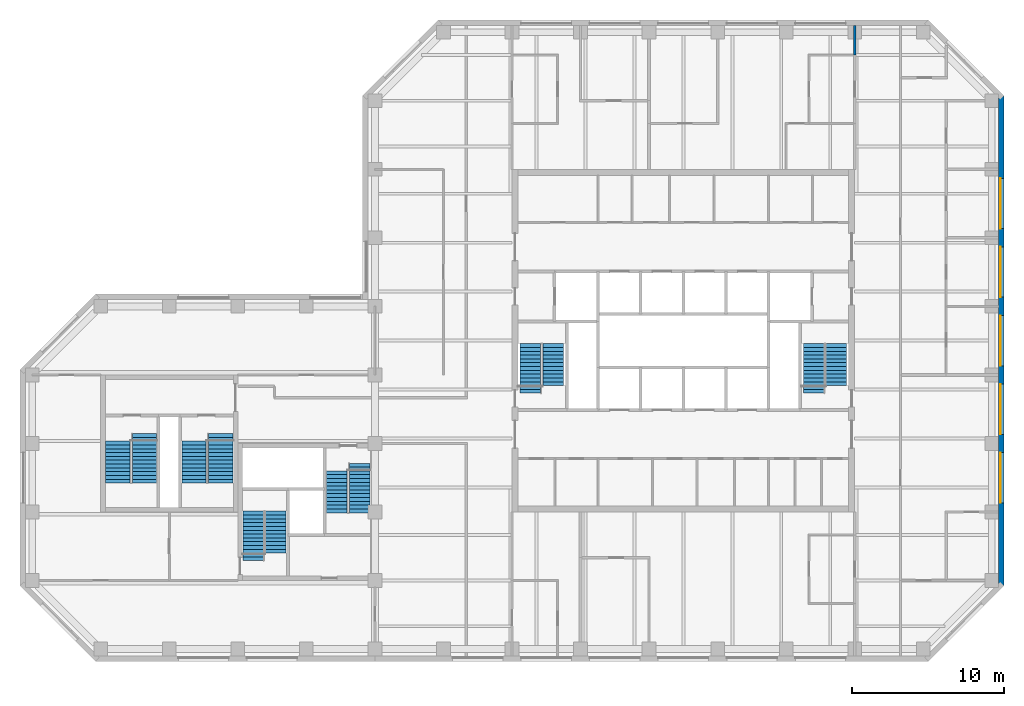
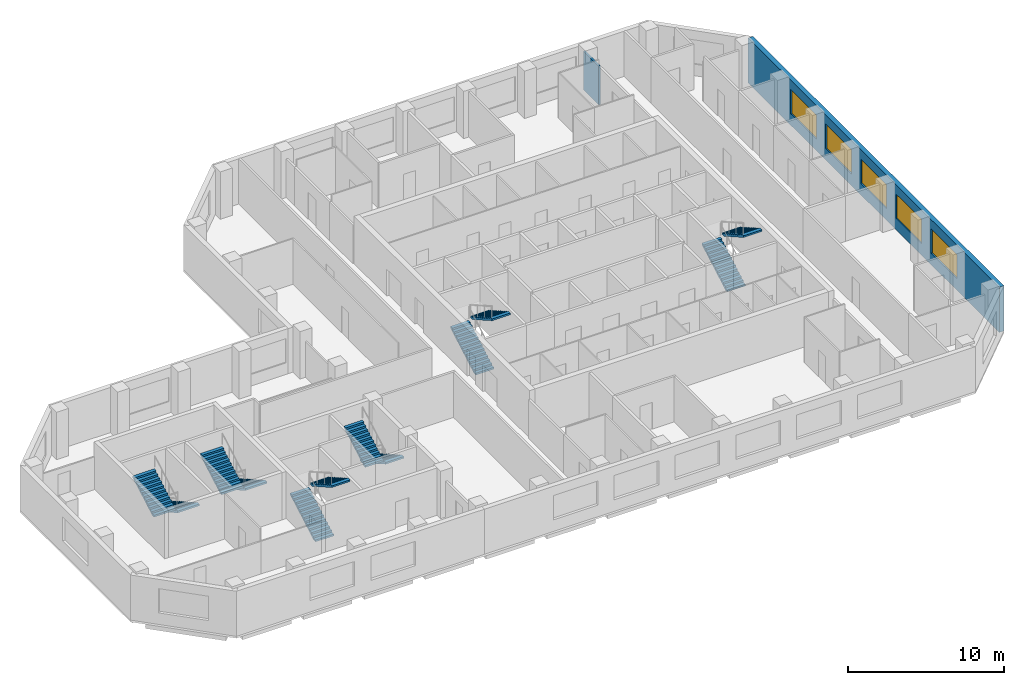
# One storey, part 8 of 9: 12 stair flights, 5 windows, 2 walls, 5 openings, 6 elements without a shape of their own.
"""IFC4 building model written with IfcOpenShell, lengths in metres."""

import ifcopenshell
import ifcopenshell.guid

model = None  # the IFC model being written
_history = None  # IfcOwnerHistory: only IFC2X3 demands one
_inside = {}  # id of a spatial element -> (the spatial element, [elements in it])
_under = {}  # id of a project, library or spatial element -> (it, [spatial elements below it])
_declared = {}  # id of a project -> (the project, [libraries it declares])
_typed = {}  # id of a type object -> (the type object, [elements of that type])
_made_of = {}  # id of a material, layer set ... -> (it, [elements and type objects made of it])


def new_model(schema):
    """Start an empty IFC model of exactly this schema.

    Asked for "IFC4X3", IfcOpenShell would pick the latest addendum, in which some entities
    have other attributes; the version numbers below select the first issue.
    IFC2X3 requires an IfcOwnerHistory on every rooted entity: one is made here for all.
    """
    global model, _history
    if schema == "IFC4X3":
        model = ifcopenshell.file(schema_version=(4, 3, 0, 0))
    else:
        model = ifcopenshell.file(schema=schema)
    _inside.clear()
    _under.clear()
    _declared.clear()
    _typed.clear()
    _made_of.clear()
    _history = None
    if model.schema == "IFC2X3":
        org = make("IfcOrganization", Name="unknown")
        user = make(
            "IfcPersonAndOrganization",
            ThePerson=make("IfcPerson", FamilyName="unknown"),
            TheOrganization=org,
        )
        app = make(
            "IfcApplication",
            ApplicationDeveloper=org,
            Version="unknown",
            ApplicationFullName="unknown",
            ApplicationIdentifier="unknown",
        )
        _history = make(
            "IfcOwnerHistory",
            OwningUser=user,
            OwningApplication=app,
            ChangeAction="ADDED",
            CreationDate=0,
        )
    return model


def make(cls, **values):
    """One entity of the class cls with the attributes given. An attribute that is None is left unset."""
    return model.create_entity(
        cls, **{name: value for name, value in values.items() if value is not None}
    )


def rooted(cls, **values):
    """An entity with a GlobalId (a new one), such as an element, a storey or a relation."""
    return make(cls, GlobalId=ifcopenshell.guid.new(), OwnerHistory=_history, **values)


def si_unit(unit_type, name, prefix=None):
    """IfcSIUnit, for example si_unit("LENGTHUNIT", "METRE", prefix="MILLI")."""
    return make("IfcSIUnit", UnitType=unit_type, Prefix=prefix, Name=name)


def assignment(units):
    """IfcUnitAssignment: the units of a project."""
    return None if units is None else make("IfcUnitAssignment", Units=units)


def point(xyz):
    """IfcCartesianPoint."""
    return None if xyz is None else make("IfcCartesianPoint", Coordinates=xyz)


def direction(xyz):
    """IfcDirection."""
    return None if xyz is None else make("IfcDirection", DirectionRatios=xyz)


def frame(location, z_axis=None, x_axis=None):
    """IfcAxis2Placement3D, a coordinate frame: its origin and axes. An axis left out is left unset."""
    return make(
        "IfcAxis2Placement3D",
        Location=point(location),
        Axis=direction(z_axis),
        RefDirection=direction(x_axis),
    )


def frame_2d(location, x_axis=None):
    """IfcAxis2Placement2D, a coordinate frame in the plane: its origin and x axis."""
    return make(
        "IfcAxis2Placement2D", Location=point(location), RefDirection=direction(x_axis)
    )


def origin():
    """The frame at (0, 0, 0) with its axes left unset."""
    return frame((0.0, 0.0, 0.0))


def place(relative_to, where):
    """IfcLocalPlacement: puts the frame where relative to a parent placement (None: the world)."""
    return make(
        "IfcLocalPlacement", PlacementRelTo=relative_to, RelativePlacement=where
    )


def context(
    kind, dimensions, precision=None, world=None, true_north=None, identifier=None
):
    """IfcGeometricRepresentationContext, for example the 3D "Model" context."""
    return make(
        "IfcGeometricRepresentationContext",
        ContextIdentifier=identifier,
        ContextType=kind,
        CoordinateSpaceDimension=dimensions,
        Precision=precision,
        WorldCoordinateSystem=world,
        TrueNorth=true_north,
    )


def subcontext(parent, identifier, kind, view, scale=None):
    """IfcGeometricRepresentationSubContext, for example "Body" below "Model"."""
    return make(
        "IfcGeometricRepresentationSubContext",
        ContextIdentifier=identifier,
        ContextType=kind,
        ParentContext=parent,
        TargetScale=scale,
        TargetView=view,
    )


def project(units=None, contexts=None):
    """IfcProject with its units and contexts."""
    return rooted(
        "IfcProject",
        Name="project",
        RepresentationContexts=contexts,
        UnitsInContext=assignment(units),
    )


def spatial(cls, under=None, at=None, **own):
    """A site, building, storey or space (cls), placed at a placement, below another one or the project."""
    s = rooted(cls, ObjectPlacement=at, **own)
    if under is not None:
        _under.setdefault(under.id(), (under, []))[1].append(s)
    return s


def polyline(points):
    """IfcPolyline through the points."""
    return make("IfcPolyline", Points=[point(p) for p in points])


def profile(cls, at=None, kind="AREA", **sizes):
    """A parametric profile (cls). Its sizes go by their IFC names, for example OverallWidth=200.0."""
    return make(cls, ProfileType=kind, Position=at, **sizes)


def rectangle(**sizes):
    """IfcRectangleProfileDef."""
    return profile("IfcRectangleProfileDef", **sizes)


def outline(outer, holes=None, kind="AREA"):
    """IfcArbitraryClosedProfileDef: a profile drawn as a closed curve; with holes, ...WithVoids."""
    if holes is None:
        return make("IfcArbitraryClosedProfileDef", ProfileType=kind, OuterCurve=outer)
    return make(
        "IfcArbitraryProfileDefWithVoids",
        ProfileType=kind,
        OuterCurve=outer,
        InnerCurves=holes,
    )


def extrude(swept, where, along, depth):
    """IfcExtrudedAreaSolid: the profile swept, set in the frame where, extruded along a direction by depth."""
    return make(
        "IfcExtrudedAreaSolid",
        SweptArea=swept,
        Position=where,
        ExtrudedDirection=direction(along),
        Depth=depth,
    )


def shape(context_of_items, identifier, shape_type, items):
    """IfcShapeRepresentation: the items that make up one representation, for example the "Body"."""
    return make(
        "IfcShapeRepresentation",
        ContextOfItems=context_of_items,
        RepresentationIdentifier=identifier,
        RepresentationType=shape_type,
        Items=items,
    )


def material(Name=None, Category=None):
    """IfcMaterial."""
    return make("IfcMaterial", Name=Name, Category=Category)


def layer(
    of_material, thickness, ventilated=None, Name=None, Category=None, Priority=None
):
    """IfcMaterialLayer: one layer of a wall or slab, of a material (None: an air gap)."""
    return make(
        "IfcMaterialLayer",
        Material=of_material,
        LayerThickness=thickness,
        IsVentilated=ventilated,
        Name=Name,
        Category=Category,
        Priority=Priority,
    )


def layer_set(layers, Name=None):
    """IfcMaterialLayerSet."""
    return make("IfcMaterialLayerSet", MaterialLayers=layers, LayerSetName=Name)


def constituent(of_material, Name=None, Category=None, fraction=None):
    """IfcMaterialConstituent: one of the materials an element consists of."""
    return make(
        "IfcMaterialConstituent",
        Name=Name,
        Material=of_material,
        Fraction=fraction,
        Category=Category,
    )


def constituent_set(constituents=None, Name=None):
    """IfcMaterialConstituentSet."""
    return make(
        "IfcMaterialConstituentSet", Name=Name, MaterialConstituents=constituents
    )


def made_of(thing, what):
    """Note that an element or type object is made of a material, layer set ...; save() writes the relation."""
    if what is not None:
        _made_of.setdefault(what.id(), (what, []))[1].append(thing)
    return thing


def type_object(cls, material=None, **own):
    """A type object (cls), such as IfcWallType, which elements share."""
    return made_of(rooted(cls, **own), material)


def element(
    cls,
    number,
    at=None,
    inside=None,
    cuts=None,
    type_object=None,
    material=None,
    context=None,
    identifier="Body",
    shape_type=None,
    held_by="IfcProductDefinitionShape",
    body=None,
    shapes=None,
    **own,
):
    """One element of the class cls, such as IfcWall. Its Tag is "e" and its number.

    at: its placement. inside: the storey or other place that contains it. cuts: it is an
    opening in that element (IfcRelVoidsElement). A single representation is given by context,
    identifier, shape_type and body (its items); several are given by shapes. held_by: the class
    of the entity that holds the representations. save() writes the other relations.
    """
    e = rooted(cls, Tag="e%d" % number, ObjectPlacement=at, **own)
    if body is not None:
        shapes = [shape(context, identifier, shape_type, body)]
    if shapes is not None:
        e.Representation = make(held_by, Representations=shapes)
    if inside is not None:
        _inside.setdefault(inside.id(), (inside, []))[1].append(e)
    if cuts is not None:
        rooted(
            "IfcRelVoidsElement", RelatingBuildingElement=cuts, RelatedOpeningElement=e
        )
    if type_object is not None:
        _typed.setdefault(type_object.id(), (type_object, []))[1].append(e)
    return made_of(e, material)


def fill(opening, filler):
    """IfcRelFillsElement: the door or window that sits in an opening."""
    return rooted(
        "IfcRelFillsElement",
        RelatingOpeningElement=opening,
        RelatedBuildingElement=filler,
    )


def aggregate(whole, parts):
    """IfcRelAggregates: a whole, such as a stair, and the parts it consists of."""
    return rooted("IfcRelAggregates", RelatingObject=whole, RelatedObjects=parts)


def save(model, path):
    """Write the relations noted so far, then the file.

    IfcRelAggregates (storeys below a building ...), IfcRelContainedInSpatialStructure (elements
    in a storey), IfcRelDefinesByType, IfcRelAssociatesMaterial and IfcRelDeclares: one each for
    every whole, place, type object, material and project.
    """
    for whole, parts in _under.values():
        aggregate(whole, parts)
    for where, things in _inside.values():
        rooted(
            "IfcRelContainedInSpatialStructure",
            RelatedElements=things,
            RelatingStructure=where,
        )
    for kind, things in _typed.values():
        rooted("IfcRelDefinesByType", RelatedObjects=things, RelatingType=kind)
    for what, things in _made_of.values():
        rooted("IfcRelAssociatesMaterial", RelatedObjects=things, RelatingMaterial=what)
    for by, libraries in _declared.values():
        rooted("IfcRelDeclares", RelatingContext=by, RelatedDefinitions=libraries)
    model.write(path)


model = new_model("IFC4")

# Units and contexts
model_context = context("Model", 3, precision=1e-05, world=origin(), true_north=direction((0.0, 1.0)))
body_context = subcontext(model_context, "Body", "Model", "MODEL_VIEW")
ifc_project = project(units=[si_unit("LENGTHUNIT", "METRE"), si_unit("AREAUNIT", "SQUARE_METRE"), si_unit("VOLUMEUNIT", "CUBIC_METRE"), si_unit("PLANEANGLEUNIT", "RADIAN"), si_unit("MASSUNIT", "GRAM", prefix="KILO")], contexts=[model_context])

# Site, building, storey
site_placement = place(None, origin())
site = spatial("IfcSite", under=ifc_project, at=site_placement, CompositionType="ELEMENT")
building_placement = place(site_placement, origin())
building = spatial("IfcBuilding", under=site, at=building_placement, Name="Quoin Convention Tower", CompositionType="ELEMENT")
storey_placement = place(building_placement, frame((0.0, 0.0, 226.699951171875)))
storey = spatial("IfcBuildingStorey", under=building, at=storey_placement, Name="L59", CompositionType="ELEMENT", Elevation=226.699951171875)

# Wall, openings, windows
ifc_material_1 = material(Name="Brick masonry", Category="masonry")
ifc_layer_1 = layer(ifc_material_1, 0.35009765625)
ifc_layer_set_1 = layer_set([ifc_layer_1], Name="Brick masonry")
wall_type_1 = type_object("IfcWallType", Name="Brick facade wall", PredefinedType="STANDARD", material=ifc_layer_set_1)
wall_1_placement = place(storey_placement, frame((77.125, 44.668701171875, 0.0), z_axis=(0.0, 0.0, 1.0), x_axis=(0.0, 1.0, 0.0)))
wall_1 = element("IfcWall", 1, at=wall_1_placement, inside=storey, type_object=wall_type_1, Name="fw-L59-76500_45000", PredefinedType="STANDARD", context=body_context, shape_type="SweptSolid", body=[
    extrude(rectangle(XDim=32.16259765625, YDim=0.35009765625, at=frame_2d((16.081298828125, 0.0))), origin(), (0.0, 0.0, 1.0), 3.525146484375),
])
opening_1_placement = place(wall_1_placement, frame((5.431396484375, 0.0, 0.89990234375)))
opening_1 = element("IfcOpeningElement", 2, at=opening_1_placement, cuts=wall_1, Name="Opening W-02", PredefinedType="OPENING", context=body_context, shape_type="SweptSolid", body=[
    extrude(rectangle(XDim=3.300048828125, YDim=1.89990234375, at=frame_2d((1.64990234375, 0.949951171875))), frame((0.0, 0.18505859375, 0.0), z_axis=(0.0, -1.0, 0.0), x_axis=(1.0, 0.0, 0.0)), (0.0, 0.0, 1.0), 0.3701171875),
])
opening_2_placement = place(wall_1_placement, frame((9.931396484375, 0.0, 0.89990234375)))
opening_2 = element("IfcOpeningElement", 3, at=opening_2_placement, cuts=wall_1, Name="Opening W-02", PredefinedType="OPENING", context=body_context, shape_type="SweptSolid", body=[
    extrude(rectangle(XDim=3.300048828125, YDim=1.89990234375, at=frame_2d((1.64990234375, 0.949951171875))), frame((0.0, 0.18505859375, 0.0), z_axis=(0.0, -1.0, 0.0), x_axis=(1.0, 0.0, 0.0)), (0.0, 0.0, 1.0), 0.3701171875),
])
opening_3_placement = place(wall_1_placement, frame((14.431396484375, 0.0, 0.89990234375)))
opening_3 = element("IfcOpeningElement", 4, at=opening_3_placement, cuts=wall_1, Name="Opening W-02", PredefinedType="OPENING", context=body_context, shape_type="SweptSolid", body=[
    extrude(rectangle(XDim=3.300048828125, YDim=1.89990234375, at=frame_2d((1.64990234375, 0.949951171875))), frame((0.0, 0.18505859375, 0.0), z_axis=(0.0, -1.0, 0.0), x_axis=(1.0, 0.0, 0.0)), (0.0, 0.0, 1.0), 0.3701171875),
])
opening_4_placement = place(wall_1_placement, frame((18.931396484375, 0.0, 0.89990234375)))
opening_4 = element("IfcOpeningElement", 5, at=opening_4_placement, cuts=wall_1, Name="Opening W-02", PredefinedType="OPENING", context=body_context, shape_type="SweptSolid", body=[
    extrude(rectangle(XDim=3.300048828125, YDim=1.89990234375, at=frame_2d((1.64990234375, 0.949951171875))), frame((0.0, 0.18505859375, 0.0), z_axis=(0.0, -1.0, 0.0), x_axis=(1.0, 0.0, 0.0)), (0.0, 0.0, 1.0), 0.3701171875),
])
opening_5_placement = place(wall_1_placement, frame((23.431396484375, 0.0, 0.89990234375)))
opening_5 = element("IfcOpeningElement", 6, at=opening_5_placement, cuts=wall_1, Name="Opening W-02", PredefinedType="OPENING", context=body_context, shape_type="SweptSolid", body=[
    extrude(rectangle(XDim=3.300048828125, YDim=1.89990234375, at=frame_2d((1.64990234375, 0.949951171875))), frame((0.0, 0.18505859375, 0.0), z_axis=(0.0, -1.0, 0.0), x_axis=(1.0, 0.0, 0.0)), (0.0, 0.0, 1.0), 0.3701171875),
])
ifc_material_2 = material(Name="Aluminium", Category="aluminium")
ifc_constituent_1 = constituent(ifc_material_2, Name="Frame")
ifc_material_3 = material(Name="Insulated glass", Category="glass")
ifc_constituent_2 = constituent(ifc_material_3, Name="Glazing")
ifc_constituent_set = constituent_set(constituents=[ifc_constituent_1, ifc_constituent_2], Name="Aluminium")
window_type = type_object("IfcWindowType", Name="Office window", PartitioningType="DOUBLE_PANEL_VERTICAL", PredefinedType="WINDOW", material=ifc_constituent_set)
window_1_placement = place(opening_1_placement, origin())
window_1 = element("IfcWindow", 7, at=window_1_placement, inside=storey, type_object=window_type, Name="win-L59-77125_51750", OverallHeight=1.89990234375, OverallWidth=3.300048828125, PartitioningType="SINGLE_PANEL", PredefinedType="WINDOW", context=body_context, shape_type="SweptSolid", body=[
    extrude(rectangle(XDim=3.300048828125, YDim=1.89990234375, at=frame_2d((1.64990234375, 0.949951171875))), frame((0.0, 0.0849609375, 0.0), z_axis=(0.0, -1.0, 0.0), x_axis=(1.0, 0.0, 0.0)), (0.0, 0.0, 1.0), 0.06005859375),
])
fill(opening_1, window_1)
window_2_placement = place(opening_2_placement, origin())
window_2 = element("IfcWindow", 8, at=window_2_placement, inside=storey, type_object=window_type, Name="win-L59-77125_56250", OverallHeight=1.89990234375, OverallWidth=3.300048828125, PartitioningType="SINGLE_PANEL", PredefinedType="WINDOW", context=body_context, shape_type="SweptSolid", body=[
    extrude(rectangle(XDim=3.300048828125, YDim=1.89990234375, at=frame_2d((1.64990234375, 0.949951171875))), frame((0.0, 0.0849609375, 0.0), z_axis=(0.0, -1.0, 0.0), x_axis=(1.0, 0.0, 0.0)), (0.0, 0.0, 1.0), 0.06005859375),
])
fill(opening_2, window_2)
window_3_placement = place(opening_3_placement, origin())
window_3 = element("IfcWindow", 9, at=window_3_placement, inside=storey, type_object=window_type, Name="win-L59-77125_60750", OverallHeight=1.89990234375, OverallWidth=3.300048828125, PartitioningType="SINGLE_PANEL", PredefinedType="WINDOW", context=body_context, shape_type="SweptSolid", body=[
    extrude(rectangle(XDim=3.300048828125, YDim=1.89990234375, at=frame_2d((1.64990234375, 0.949951171875))), frame((0.0, 0.0849609375, 0.0), z_axis=(0.0, -1.0, 0.0), x_axis=(1.0, 0.0, 0.0)), (0.0, 0.0, 1.0), 0.06005859375),
])
fill(opening_3, window_3)
window_4_placement = place(opening_4_placement, origin())
window_4 = element("IfcWindow", 10, at=window_4_placement, inside=storey, type_object=window_type, Name="win-L59-77125_65250", OverallHeight=1.89990234375, OverallWidth=3.300048828125, PartitioningType="SINGLE_PANEL", PredefinedType="WINDOW", context=body_context, shape_type="SweptSolid", body=[
    extrude(rectangle(XDim=3.300048828125, YDim=1.89990234375, at=frame_2d((1.64990234375, 0.949951171875))), frame((0.0, 0.0849609375, 0.0), z_axis=(0.0, -1.0, 0.0), x_axis=(1.0, 0.0, 0.0)), (0.0, 0.0, 1.0), 0.06005859375),
])
fill(opening_4, window_4)
window_5_placement = place(opening_5_placement, origin())
window_5 = element("IfcWindow", 11, at=window_5_placement, inside=storey, type_object=window_type, Name="win-L59-77125_69750", OverallHeight=1.89990234375, OverallWidth=3.300048828125, PartitioningType="SINGLE_PANEL", PredefinedType="WINDOW", context=body_context, shape_type="SweptSolid", body=[
    extrude(rectangle(XDim=3.300048828125, YDim=1.89990234375, at=frame_2d((1.64990234375, 0.949951171875))), frame((0.0, 0.0849609375, 0.0), z_axis=(0.0, -1.0, 0.0), x_axis=(1.0, 0.0, 0.0)), (0.0, 0.0, 1.0), 0.06005859375),
])
fill(opening_5, window_5)

# Wall
ifc_material_4 = material(Name="Plasterboard")
ifc_layer_2 = layer(ifc_material_4, 0.012451171875, Name="Finish")
ifc_material_5 = material(Name="Steel stud framing", Category="steel")
ifc_layer_3 = layer(ifc_material_5, 0.125, Name="Structure")
ifc_layer_4 = layer(ifc_material_4, 0.012451171875, Name="Finish")
ifc_layer_set_2 = layer_set([ifc_layer_2, ifc_layer_3, ifc_layer_4], Name="Steel stud framing")
wall_type_2 = type_object("IfcWallType", Name="Corridor wall 150 under beam 528", PredefinedType="PARTITIONING", material=ifc_layer_set_2)
wall_2_placement = place(storey_placement, frame((67.5, 79.5, 0.0), z_axis=(0.0, 0.0, 1.0), x_axis=(0.0, 1.0, 0.0)))
element("IfcWall", 12, at=wall_2_placement, inside=storey, type_object=wall_type_2, Name="pw-L59-082", PredefinedType="PARTITIONING", context=body_context, shape_type="SweptSolid", body=[
    extrude(rectangle(XDim=1.949951171875, YDim=0.14990234375, at=frame_2d((0.97509765625, 0.0))), origin(), (0.0, 0.0, 1.0), 3.02197265625),
])

# Stair, stair flights
ifc_material_6 = material(Name="Concrete C40", Category="concrete")
stair_type_1 = type_object("IfcStairType", Name="Exit stair two-flight 1350", PredefinedType="HALF_TURN_STAIR", material=ifc_material_6)
stair_1_placement = place(storey_placement, origin())
stair_1 = element("IfcStair", 13, at=stair_1_placement, inside=storey, type_object=stair_type_1, Name="SD1 L59", PredefinedType="HALF_TURN_STAIR")
stair_flight_type_1 = type_object("IfcStairFlightType", Name="Stair flight 1350", PredefinedType="STRAIGHT", material=ifc_material_6)
stair_flight_1_placement = place(storey_placement, frame((46.199951171875, 57.300048828125, 0.0), z_axis=(0.0, 0.0, 1.0), x_axis=(0.0, 1.0, 0.0)))
stair_flight_1 = element("IfcStairFlight", 14, at=stair_flight_1_placement, type_object=stair_flight_type_1, Name="ST1 flight 1", NumberOfRisers=14, NumberOfTreads=13, PredefinedType="STRAIGHT", RiserHeight=0.142307692, TreadLength=0.25, context=body_context, shape_type="SweptSolid", body=[
    extrude(outline(polyline([(0.0, 0.0), (0.0, 0.142333984375), (0.25, 0.142333984375), (0.25, 0.28466796875), (0.5, 0.28466796875), (0.5, 0.427001953125), (0.75, 0.427001953125), (0.75, 0.5693359375), (1.0, 0.5693359375), (1.0, 0.71142578125), (1.25, 0.71142578125), (1.25, 0.853759765625), (1.5, 0.853759765625), (1.5, 0.99609375), (1.75, 0.99609375), (1.75, 1.138427734375), (2.0, 1.138427734375), (2.0, 1.28076171875), (2.25, 1.28076171875), (2.25, 1.423095703125), (2.5, 1.423095703125), (2.5, 1.5654296875), (2.75, 1.5654296875), (2.75, 1.707763671875), (3.0, 1.707763671875), (3.0, 1.85009765625), (3.25, 1.85009765625), (3.25, 1.9921875), (3.25, 1.711669921875), (0.242919921875, 0.0), (0.0, 0.0)])), frame((0.0, 0.675048828125, 0.0), z_axis=(0.0, -1.0, 0.0), x_axis=(1.0, 0.0, 0.0)), (0.0, 0.0, 1.0), 1.35009765625),
])
stair_flight_2_placement = place(storey_placement, frame((47.699951171875, 60.550048828125, 1.992431640625), z_axis=(0.0, 0.0, 1.0), x_axis=(0.0, -1.0, 0.0)))
stair_flight_2 = element("IfcStairFlight", 15, at=stair_flight_2_placement, type_object=stair_flight_type_1, Name="ST1 flight 2", NumberOfRisers=12, NumberOfTreads=11, PredefinedType="STRAIGHT", RiserHeight=0.142307692, TreadLength=0.25, context=body_context, shape_type="SweptSolid", body=[
    extrude(outline(polyline([(0.0, 0.0), (0.0, 0.142333984375), (0.25, 0.142333984375), (0.25, 0.28466796875), (0.5, 0.28466796875), (0.5, 0.427001953125), (0.75, 0.427001953125), (0.75, 0.5693359375), (1.0, 0.5693359375), (1.0, 0.71142578125), (1.25, 0.71142578125), (1.25, 0.853759765625), (1.5, 0.853759765625), (1.5, 0.99609375), (1.75, 0.99609375), (1.75, 1.138427734375), (2.0, 1.138427734375), (2.0, 1.28076171875), (2.25, 1.28076171875), (2.25, 1.423095703125), (2.5, 1.423095703125), (2.5, 1.5654296875), (2.75, 1.5654296875), (2.75, 1.707763671875), (2.75, 1.42724609375), (0.242919921875, 0.0), (0.0, 0.0)])), frame((0.0, 0.675048828125, 0.0), z_axis=(0.0, -1.0, 0.0), x_axis=(1.0, 0.0, 0.0)), (0.0, 0.0, 1.0), 1.35009765625),
])
aggregate(stair_1, [stair_flight_1, stair_flight_2])

stair_2_placement = place(storey_placement, origin())
stair_2 = element("IfcStair", 16, at=stair_2_placement, inside=storey, type_object=stair_type_1, Name="SD2 L59", PredefinedType="HALF_TURN_STAIR")
stair_flight_3_placement = place(storey_placement, frame((64.800048828125, 57.300048828125, 0.0), z_axis=(0.0, 0.0, 1.0), x_axis=(0.0, 1.0, 0.0)))
stair_flight_3 = element("IfcStairFlight", 17, at=stair_flight_3_placement, type_object=stair_flight_type_1, Name="ST2 flight 1", NumberOfRisers=14, NumberOfTreads=13, PredefinedType="STRAIGHT", RiserHeight=0.142307692, TreadLength=0.25, context=body_context, shape_type="SweptSolid", body=[
    extrude(outline(polyline([(0.0, 0.0), (0.0, 0.142333984375), (0.25, 0.142333984375), (0.25, 0.28466796875), (0.5, 0.28466796875), (0.5, 0.427001953125), (0.75, 0.427001953125), (0.75, 0.5693359375), (1.0, 0.5693359375), (1.0, 0.71142578125), (1.25, 0.71142578125), (1.25, 0.853759765625), (1.5, 0.853759765625), (1.5, 0.99609375), (1.75, 0.99609375), (1.75, 1.138427734375), (2.0, 1.138427734375), (2.0, 1.28076171875), (2.25, 1.28076171875), (2.25, 1.423095703125), (2.5, 1.423095703125), (2.5, 1.5654296875), (2.75, 1.5654296875), (2.75, 1.707763671875), (3.0, 1.707763671875), (3.0, 1.85009765625), (3.25, 1.85009765625), (3.25, 1.9921875), (3.25, 1.711669921875), (0.242919921875, 0.0), (0.0, 0.0)])), frame((0.0, 0.675048828125, 0.0), z_axis=(0.0, -1.0, 0.0), x_axis=(1.0, 0.0, 0.0)), (0.0, 0.0, 1.0), 1.35009765625),
])
stair_flight_4_placement = place(storey_placement, frame((66.300048828125, 60.550048828125, 1.992431640625), z_axis=(0.0, 0.0, 1.0), x_axis=(0.0, -1.0, 0.0)))
stair_flight_4 = element("IfcStairFlight", 18, at=stair_flight_4_placement, type_object=stair_flight_type_1, Name="ST2 flight 2", NumberOfRisers=12, NumberOfTreads=11, PredefinedType="STRAIGHT", RiserHeight=0.142307692, TreadLength=0.25, context=body_context, shape_type="SweptSolid", body=[
    extrude(outline(polyline([(0.0, 0.0), (0.0, 0.142333984375), (0.25, 0.142333984375), (0.25, 0.28466796875), (0.5, 0.28466796875), (0.5, 0.427001953125), (0.75, 0.427001953125), (0.75, 0.5693359375), (1.0, 0.5693359375), (1.0, 0.71142578125), (1.25, 0.71142578125), (1.25, 0.853759765625), (1.5, 0.853759765625), (1.5, 0.99609375), (1.75, 0.99609375), (1.75, 1.138427734375), (2.0, 1.138427734375), (2.0, 1.28076171875), (2.25, 1.28076171875), (2.25, 1.423095703125), (2.5, 1.423095703125), (2.5, 1.5654296875), (2.75, 1.5654296875), (2.75, 1.707763671875), (2.75, 1.42724609375), (0.242919921875, 0.0), (0.0, 0.0)])), frame((0.0, 0.675048828125, 0.0), z_axis=(0.0, -1.0, 0.0), x_axis=(1.0, 0.0, 0.0)), (0.0, 0.0, 1.0), 1.35009765625),
])
aggregate(stair_2, [stair_flight_3, stair_flight_4])

stair_3_placement = place(storey_placement, origin())
stair_3 = element("IfcStair", 19, at=stair_3_placement, inside=storey, type_object=stair_type_1, Name="SD3 L59", PredefinedType="HALF_TURN_STAIR")
stair_flight_5_placement = place(storey_placement, frame((28.0, 46.300048828125, 0.0), z_axis=(0.0, 0.0, 1.0), x_axis=(0.0, 1.0, 0.0)))
stair_flight_5 = element("IfcStairFlight", 20, at=stair_flight_5_placement, type_object=stair_flight_type_1, Name="ST3 flight 1", NumberOfRisers=14, NumberOfTreads=13, PredefinedType="STRAIGHT", RiserHeight=0.142307692, TreadLength=0.25, context=body_context, shape_type="SweptSolid", body=[
    extrude(outline(polyline([(0.0, 0.0), (0.0, 0.142333984375), (0.25, 0.142333984375), (0.25, 0.28466796875), (0.5, 0.28466796875), (0.5, 0.427001953125), (0.75, 0.427001953125), (0.75, 0.5693359375), (1.0, 0.5693359375), (1.0, 0.71142578125), (1.25, 0.71142578125), (1.25, 0.853759765625), (1.5, 0.853759765625), (1.5, 0.99609375), (1.75, 0.99609375), (1.75, 1.138427734375), (2.0, 1.138427734375), (2.0, 1.28076171875), (2.25, 1.28076171875), (2.25, 1.423095703125), (2.5, 1.423095703125), (2.5, 1.5654296875), (2.75, 1.5654296875), (2.75, 1.707763671875), (3.0, 1.707763671875), (3.0, 1.85009765625), (3.25, 1.85009765625), (3.25, 1.9921875), (3.25, 1.711669921875), (0.242919921875, 0.0), (0.0, 0.0)])), frame((0.0, 0.675048828125, 0.0), z_axis=(0.0, -1.0, 0.0), x_axis=(1.0, 0.0, 0.0)), (0.0, 0.0, 1.0), 1.35009765625),
])
stair_flight_6_placement = place(storey_placement, frame((29.5, 49.550048828125, 1.992431640625), z_axis=(0.0, 0.0, 1.0), x_axis=(0.0, -1.0, 0.0)))
stair_flight_6 = element("IfcStairFlight", 21, at=stair_flight_6_placement, type_object=stair_flight_type_1, Name="ST3 flight 2", NumberOfRisers=12, NumberOfTreads=11, PredefinedType="STRAIGHT", RiserHeight=0.142307692, TreadLength=0.25, context=body_context, shape_type="SweptSolid", body=[
    extrude(outline(polyline([(0.0, 0.0), (0.0, 0.142333984375), (0.25, 0.142333984375), (0.25, 0.28466796875), (0.5, 0.28466796875), (0.5, 0.427001953125), (0.75, 0.427001953125), (0.75, 0.5693359375), (1.0, 0.5693359375), (1.0, 0.71142578125), (1.25, 0.71142578125), (1.25, 0.853759765625), (1.5, 0.853759765625), (1.5, 0.99609375), (1.75, 0.99609375), (1.75, 1.138427734375), (2.0, 1.138427734375), (2.0, 1.28076171875), (2.25, 1.28076171875), (2.25, 1.423095703125), (2.5, 1.423095703125), (2.5, 1.5654296875), (2.75, 1.5654296875), (2.75, 1.707763671875), (2.75, 1.42724609375), (0.242919921875, 0.0), (0.0, 0.0)])), frame((0.0, 0.675048828125, 0.0), z_axis=(0.0, -1.0, 0.0), x_axis=(1.0, 0.0, 0.0)), (0.0, 0.0, 1.0), 1.35009765625),
])
aggregate(stair_3, [stair_flight_5, stair_flight_6])

stair_4_placement = place(storey_placement, origin())
stair_4 = element("IfcStair", 22, at=stair_4_placement, inside=storey, type_object=stair_type_1, Name="SD4 L59", PredefinedType="HALF_TURN_STAIR")
stair_flight_7_placement = place(storey_placement, frame((35.0, 52.699951171875, 0.0), z_axis=(0.0, 0.0, 1.0), x_axis=(0.0, -1.0, 0.0)))
stair_flight_7 = element("IfcStairFlight", 23, at=stair_flight_7_placement, type_object=stair_flight_type_1, Name="ST4 flight 1", NumberOfRisers=14, NumberOfTreads=13, PredefinedType="STRAIGHT", RiserHeight=0.142307692, TreadLength=0.25, context=body_context, shape_type="SweptSolid", body=[
    extrude(outline(polyline([(0.0, 0.0), (0.0, 0.142333984375), (0.25, 0.142333984375), (0.25, 0.28466796875), (0.5, 0.28466796875), (0.5, 0.427001953125), (0.75, 0.427001953125), (0.75, 0.5693359375), (1.0, 0.5693359375), (1.0, 0.71142578125), (1.25, 0.71142578125), (1.25, 0.853759765625), (1.5, 0.853759765625), (1.5, 0.99609375), (1.75, 0.99609375), (1.75, 1.138427734375), (2.0, 1.138427734375), (2.0, 1.28076171875), (2.25, 1.28076171875), (2.25, 1.423095703125), (2.5, 1.423095703125), (2.5, 1.5654296875), (2.75, 1.5654296875), (2.75, 1.707763671875), (3.0, 1.707763671875), (3.0, 1.85009765625), (3.25, 1.85009765625), (3.25, 1.9921875), (3.25, 1.711669921875), (0.242919921875, 0.0), (0.0, 0.0)])), frame((0.0, 0.675048828125, 0.0), z_axis=(0.0, -1.0, 0.0), x_axis=(1.0, 0.0, 0.0)), (0.0, 0.0, 1.0), 1.35009765625),
])
stair_flight_8_placement = place(storey_placement, frame((33.5, 49.449951171875, 1.992431640625), z_axis=(0.0, 0.0, 1.0), x_axis=(0.0, 1.0, 0.0)))
stair_flight_8 = element("IfcStairFlight", 24, at=stair_flight_8_placement, type_object=stair_flight_type_1, Name="ST4 flight 2", NumberOfRisers=12, NumberOfTreads=11, PredefinedType="STRAIGHT", RiserHeight=0.142307692, TreadLength=0.25, context=body_context, shape_type="SweptSolid", body=[
    extrude(outline(polyline([(0.0, 0.0), (0.0, 0.142333984375), (0.25, 0.142333984375), (0.25, 0.28466796875), (0.5, 0.28466796875), (0.5, 0.427001953125), (0.75, 0.427001953125), (0.75, 0.5693359375), (1.0, 0.5693359375), (1.0, 0.71142578125), (1.25, 0.71142578125), (1.25, 0.853759765625), (1.5, 0.853759765625), (1.5, 0.99609375), (1.75, 0.99609375), (1.75, 1.138427734375), (2.0, 1.138427734375), (2.0, 1.28076171875), (2.25, 1.28076171875), (2.25, 1.423095703125), (2.5, 1.423095703125), (2.5, 1.5654296875), (2.75, 1.5654296875), (2.75, 1.707763671875), (2.75, 1.42724609375), (0.242919921875, 0.0), (0.0, 0.0)])), frame((0.0, 0.675048828125, 0.0), z_axis=(0.0, -1.0, 0.0), x_axis=(1.0, 0.0, 0.0)), (0.0, 0.0, 1.0), 1.35009765625),
])
aggregate(stair_4, [stair_flight_7, stair_flight_8])

stair_type_2 = type_object("IfcStairType", Name="Exit stair two-flight 1600", PredefinedType="HALF_TURN_STAIR", material=ifc_material_6)
stair_5_placement = place(storey_placement, origin())
stair_5 = element("IfcStair", 25, at=stair_5_placement, inside=storey, type_object=stair_type_2, Name="SD11 L59", PredefinedType="HALF_TURN_STAIR")
stair_flight_type_2 = type_object("IfcStairFlightType", Name="Stair flight 1600", PredefinedType="STRAIGHT", material=ifc_material_6)
stair_flight_9_placement = place(storey_placement, frame((20.875, 54.64990234375, 0.0), z_axis=(0.0, 0.0, 1.0), x_axis=(0.0, -1.0, 0.0)))
stair_flight_9 = element("IfcStairFlight", 26, at=stair_flight_9_placement, type_object=stair_flight_type_2, Name="ST11 flight 1", NumberOfRisers=14, NumberOfTreads=13, PredefinedType="STRAIGHT", RiserHeight=0.142307692, TreadLength=0.25, context=body_context, shape_type="SweptSolid", body=[
    extrude(outline(polyline([(0.0, 0.0), (0.0, 0.142333984375), (0.25, 0.142333984375), (0.25, 0.28466796875), (0.5, 0.28466796875), (0.5, 0.427001953125), (0.75, 0.427001953125), (0.75, 0.5693359375), (1.0, 0.5693359375), (1.0, 0.71142578125), (1.25, 0.71142578125), (1.25, 0.853759765625), (1.5, 0.853759765625), (1.5, 0.99609375), (1.75, 0.99609375), (1.75, 1.138427734375), (2.0, 1.138427734375), (2.0, 1.28076171875), (2.25, 1.28076171875), (2.25, 1.423095703125), (2.5, 1.423095703125), (2.5, 1.5654296875), (2.75, 1.5654296875), (2.75, 1.707763671875), (3.0, 1.707763671875), (3.0, 1.85009765625), (3.25, 1.85009765625), (3.25, 1.9921875), (3.25, 1.711669921875), (0.242919921875, 0.0), (0.0, 0.0)])), frame((0.0, 0.800048828125, 0.0), z_axis=(0.0, -1.0, 0.0), x_axis=(1.0, 0.0, 0.0)), (0.0, 0.0, 1.0), 1.60009765625),
])
stair_flight_10_placement = place(storey_placement, frame((19.125, 51.39990234375, 1.992431640625), z_axis=(0.0, 0.0, 1.0), x_axis=(0.0, 1.0, 0.0)))
stair_flight_10 = element("IfcStairFlight", 27, at=stair_flight_10_placement, type_object=stair_flight_type_2, Name="ST11 flight 2", NumberOfRisers=12, NumberOfTreads=11, PredefinedType="STRAIGHT", RiserHeight=0.142307692, TreadLength=0.25, context=body_context, shape_type="SweptSolid", body=[
    extrude(outline(polyline([(0.0, 0.0), (0.0, 0.142333984375), (0.25, 0.142333984375), (0.25, 0.28466796875), (0.5, 0.28466796875), (0.5, 0.427001953125), (0.75, 0.427001953125), (0.75, 0.5693359375), (1.0, 0.5693359375), (1.0, 0.71142578125), (1.25, 0.71142578125), (1.25, 0.853759765625), (1.5, 0.853759765625), (1.5, 0.99609375), (1.75, 0.99609375), (1.75, 1.138427734375), (2.0, 1.138427734375), (2.0, 1.28076171875), (2.25, 1.28076171875), (2.25, 1.423095703125), (2.5, 1.423095703125), (2.5, 1.5654296875), (2.75, 1.5654296875), (2.75, 1.707763671875), (2.75, 1.42724609375), (0.242919921875, 0.0), (0.0, 0.0)])), frame((0.0, 0.800048828125, 0.0), z_axis=(0.0, -1.0, 0.0), x_axis=(1.0, 0.0, 0.0)), (0.0, 0.0, 1.0), 1.60009765625),
])
aggregate(stair_5, [stair_flight_9, stair_flight_10])

stair_6_placement = place(storey_placement, origin())
stair_6 = element("IfcStair", 28, at=stair_6_placement, inside=storey, type_object=stair_type_2, Name="SD12 L59", PredefinedType="HALF_TURN_STAIR")
stair_flight_11_placement = place(storey_placement, frame((25.875, 54.64990234375, 0.0), z_axis=(0.0, 0.0, 1.0), x_axis=(0.0, -1.0, 0.0)))
stair_flight_11 = element("IfcStairFlight", 29, at=stair_flight_11_placement, type_object=stair_flight_type_2, Name="ST12 flight 1", NumberOfRisers=14, NumberOfTreads=13, PredefinedType="STRAIGHT", RiserHeight=0.142307692, TreadLength=0.25, context=body_context, shape_type="SweptSolid", body=[
    extrude(outline(polyline([(0.0, 0.0), (0.0, 0.142333984375), (0.25, 0.142333984375), (0.25, 0.28466796875), (0.5, 0.28466796875), (0.5, 0.427001953125), (0.75, 0.427001953125), (0.75, 0.5693359375), (1.0, 0.5693359375), (1.0, 0.71142578125), (1.25, 0.71142578125), (1.25, 0.853759765625), (1.5, 0.853759765625), (1.5, 0.99609375), (1.75, 0.99609375), (1.75, 1.138427734375), (2.0, 1.138427734375), (2.0, 1.28076171875), (2.25, 1.28076171875), (2.25, 1.423095703125), (2.5, 1.423095703125), (2.5, 1.5654296875), (2.75, 1.5654296875), (2.75, 1.707763671875), (3.0, 1.707763671875), (3.0, 1.85009765625), (3.25, 1.85009765625), (3.25, 1.9921875), (3.25, 1.711669921875), (0.242919921875, 0.0), (0.0, 0.0)])), frame((0.0, 0.800048828125, 0.0), z_axis=(0.0, -1.0, 0.0), x_axis=(1.0, 0.0, 0.0)), (0.0, 0.0, 1.0), 1.60009765625),
])
stair_flight_12_placement = place(storey_placement, frame((24.125, 51.39990234375, 1.992431640625), z_axis=(0.0, 0.0, 1.0), x_axis=(0.0, 1.0, 0.0)))
stair_flight_12 = element("IfcStairFlight", 30, at=stair_flight_12_placement, type_object=stair_flight_type_2, Name="ST12 flight 2", NumberOfRisers=12, NumberOfTreads=11, PredefinedType="STRAIGHT", RiserHeight=0.142307692, TreadLength=0.25, context=body_context, shape_type="SweptSolid", body=[
    extrude(outline(polyline([(0.0, 0.0), (0.0, 0.142333984375), (0.25, 0.142333984375), (0.25, 0.28466796875), (0.5, 0.28466796875), (0.5, 0.427001953125), (0.75, 0.427001953125), (0.75, 0.5693359375), (1.0, 0.5693359375), (1.0, 0.71142578125), (1.25, 0.71142578125), (1.25, 0.853759765625), (1.5, 0.853759765625), (1.5, 0.99609375), (1.75, 0.99609375), (1.75, 1.138427734375), (2.0, 1.138427734375), (2.0, 1.28076171875), (2.25, 1.28076171875), (2.25, 1.423095703125), (2.5, 1.423095703125), (2.5, 1.5654296875), (2.75, 1.5654296875), (2.75, 1.707763671875), (2.75, 1.42724609375), (0.242919921875, 0.0), (0.0, 0.0)])), frame((0.0, 0.800048828125, 0.0), z_axis=(0.0, -1.0, 0.0), x_axis=(1.0, 0.0, 0.0)), (0.0, 0.0, 1.0), 1.60009765625),
])
aggregate(stair_6, [stair_flight_11, stair_flight_12])

save(model, "model.ifc")
